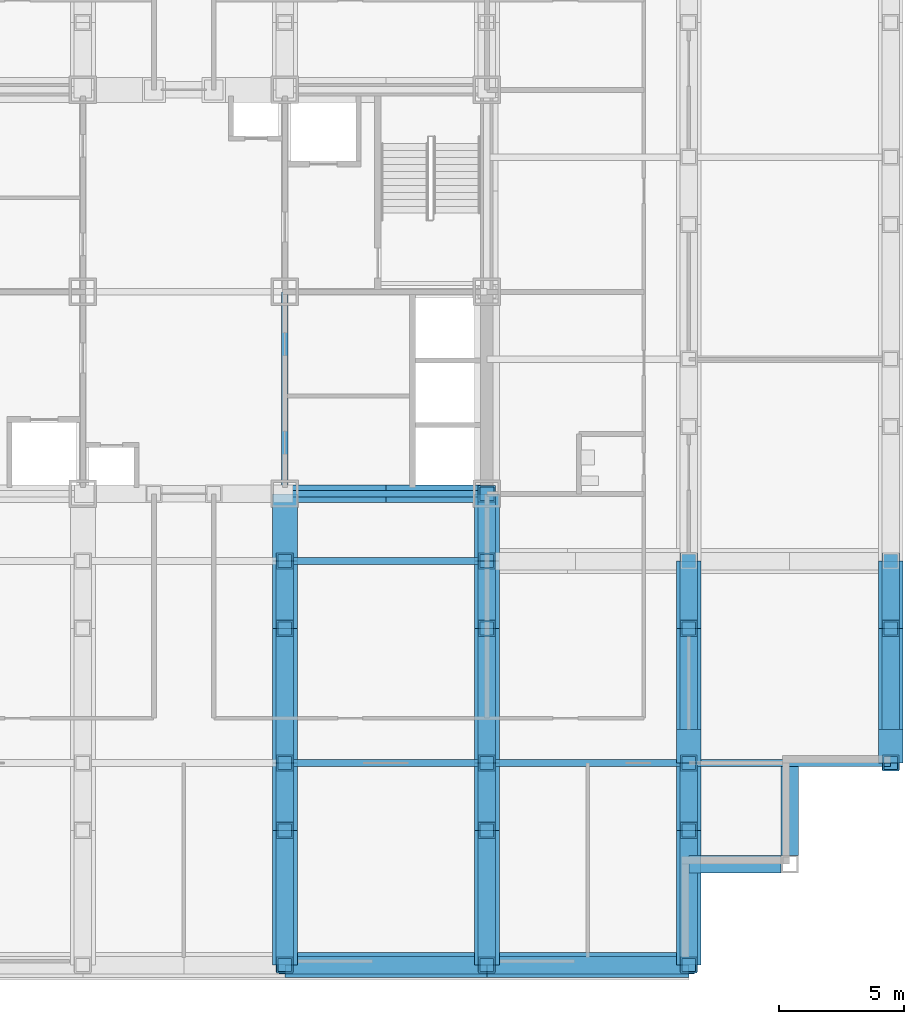
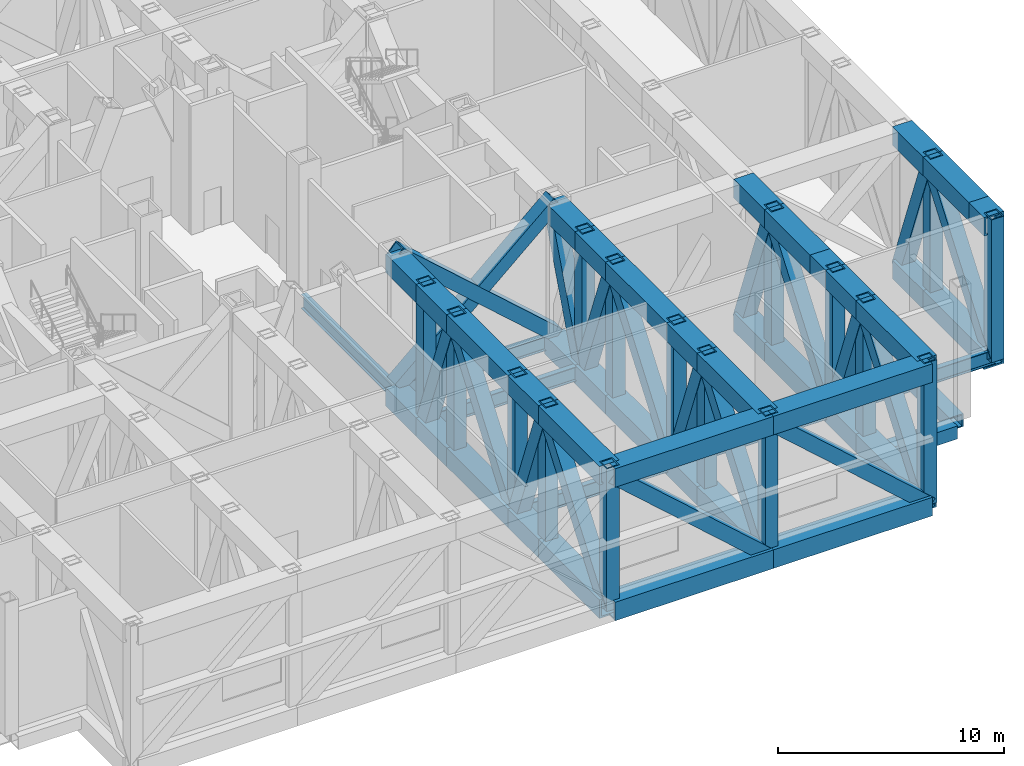
# One storey, part 3 of 13: 73 members, 8 beams.
"""IFC4 building model written with IfcOpenShell, lengths in metres."""

from ifc_helpers import new_model, si_unit, direction, frame, origin, origin_2d, place, context, subcontext, project, spatial, hollow_rectangle, i_section, extrude, material, material_profile, profile_set, type_object, element, save


model = new_model("IFC4")

# Units and contexts
model_context = context("Model", 3, precision=1e-05, world=origin(), true_north=direction((0.0, 1.0)))
body_context = subcontext(model_context, "Body", "Model", "MODEL_VIEW")
ifc_project = project(units=[si_unit("LENGTHUNIT", "METRE"), si_unit("AREAUNIT", "SQUARE_METRE"), si_unit("VOLUMEUNIT", "CUBIC_METRE"), si_unit("PLANEANGLEUNIT", "RADIAN"), si_unit("MASSUNIT", "GRAM", prefix="KILO")], contexts=[model_context])

# Site, building, storey
site_placement = place(None, origin())
site = spatial("IfcSite", under=ifc_project, at=site_placement, CompositionType="ELEMENT")
building_placement = place(site_placement, origin())
building = spatial("IfcBuilding", under=site, at=building_placement, Name="Kopane Lantern Tower", CompositionType="ELEMENT")
storey_placement = place(building_placement, frame((0.0, 0.0, 157.800048828125)))
storey = spatial("IfcBuildingStorey", under=building, at=storey_placement, Name="L41", CompositionType="ELEMENT", Elevation=157.800048828125)

# Members
ifc_material_1 = material(Name="Steel S355JR", Category="steel")
ifc_material_profile_1 = material_profile(ifc_material_1, hollow_rectangle(XDim=0.699951171875, YDim=0.699951171875, WallThickness=0.06005859375, at=origin_2d()), Name="BOX 700x700x60")
ifc_profile_set_1 = profile_set([ifc_material_profile_1], Name="Steel S355JR")
member_type_1 = type_object("IfcMemberType", Name="BRACE BOX 700x700x60", PredefinedType="BRACE", material=ifc_profile_set_1)
for number, where, z_axis, x_axis, name in (
    (1, (32.39990234375, 24.300048828125, -0.25), (0.747415533118, 0.0, 0.664356847525), (0.0, 1.0, 0.0), "Core brace L41"),
    (2, (40.5, 24.300048828125, -0.25), (-0.747415533118, 0.0, 0.664356847525), (0.0, -1.0, 0.0), "Core brace L41"),
):
    element("IfcMember", number, at=place(storey_placement, frame(where, z_axis=z_axis, x_axis=x_axis)), inside=storey, type_object=member_type_1, Name=name, PredefinedType="BRACE", context=body_context, shape_type="SweptSolid", body=[
        extrude(hollow_rectangle(XDim=0.699951171875, YDim=0.699951171875, WallThickness=0.06005859375, at=origin_2d()), origin(), (0.0, 0.0, 1.0), 10.83740234375),
    ])

# Beams
ifc_material_2 = material(Name="Steel S355JR", Category="steel")
ifc_material_profile_2 = material_profile(ifc_material_2, i_section(OverallWidth=0.2666015625, OverallDepth=0.76220703125, WebThickness=0.014404296875, FlangeThickness=0.021484375, FilletRadius=0.0166015625, at=origin_2d()), Name="UB 762x267x173")
ifc_profile_set_2 = profile_set([ifc_material_profile_2], Name="Steel S355JR")
beam_type_1 = type_object("IfcBeamType", Name="CORE BEAM UB 762x267x173", PredefinedType="BEAM", material=ifc_profile_set_2)
beam_1_placement = place(storey_placement, frame((32.39990234375, 24.300048828125, -0.631103515625), z_axis=(0.0, 1.0, 0.0), x_axis=(-1.0, 0.0, 0.0)))
element("IfcBeam", 3, at=beam_1_placement, inside=storey, type_object=beam_type_1, Name="Core Beam L41", PredefinedType="BEAM", context=body_context, shape_type="SweptSolid", body=[
    extrude(i_section(OverallWidth=0.2666015625, OverallDepth=0.76220703125, WebThickness=0.014404296875, FlangeThickness=0.021484375, FilletRadius=0.0166015625, at=origin_2d()), origin(), (0.0, 0.0, 1.0), 8.099853515625),
])
ifc_material_3 = material(Name="Steel S355JR", Category="steel")
ifc_material_profile_3 = material_profile(ifc_material_3, hollow_rectangle(XDim=0.699951171875, YDim=0.699951171875, WallThickness=0.06005859375, at=origin_2d()), Name="BOX 700x700x60")
ifc_profile_set_3 = profile_set([ifc_material_profile_3], Name="Steel S355JR")
beam_type_2 = type_object("IfcBeamType", Name="EDGE BEAM BOX 700x700x60", PredefinedType="BEAM", material=ifc_profile_set_3)
for number, where, z_axis, x_axis, name in (
    (4, (52.300048828125, 9.449951171875, -0.60009765625), (-1.0, 0.0, 0.0), (0.0, -1.0, 0.0), "Edge Beam L41"),
    (5, (52.64990234375, 9.800048828125, -0.60009765625), (0.0, 1.0, 0.0), (-1.0, 0.0, 0.0), "Edge Beam L41"),
):
    element("IfcBeam", number, at=place(storey_placement, frame(where, z_axis=z_axis, x_axis=x_axis)), inside=storey, type_object=beam_type_2, Name=name, PredefinedType="BEAM", context=body_context, shape_type="SweptSolid", body=[
        extrude(hollow_rectangle(XDim=0.699951171875, YDim=0.699951171875, WallThickness=0.06005859375, at=origin_2d()), origin(), (0.0, 0.0, 1.0), 3.699951171875),
    ])
ifc_material_4 = material(Name="Steel S355JR", Category="steel")
ifc_material_profile_4 = material_profile(ifc_material_4, i_section(OverallWidth=0.26806640625, OverallDepth=0.769775390625, WebThickness=0.015625, FlangeThickness=0.025390625, FilletRadius=0.0166015625, at=origin_2d()), Name="UB 762x267x197")
ifc_profile_set_4 = profile_set([ifc_material_profile_4], Name="Steel S355JR")
beam_type_3 = type_object("IfcBeamType", Name="GIRDER UB 762x267x197", PredefinedType="BEAM", material=ifc_profile_set_4)
for number, where, z_axis, x_axis, name in (
    (6, (32.39990234375, 13.5, -0.635009765625), (1.0, 0.0, 0.0), (0.0, 1.0, 0.0), "Girder L41"),
    (7, (32.39990234375, 21.60009765625, -0.635009765625), (1.0, 0.0, 0.0), (0.0, 1.0, 0.0), "Girder L41"),
    (8, (32.39990234375, 24.300048828125, -0.635009765625), (1.0, 0.0, 0.0), (0.0, 1.0, 0.0), "Girder L41"),
    (9, (40.5, 13.5, -0.635009765625), (1.0, 0.0, 0.0), (0.0, 1.0, 0.0), "Girder L41"),
):
    element("IfcBeam", number, at=place(storey_placement, frame(where, z_axis=z_axis, x_axis=x_axis)), inside=storey, type_object=beam_type_3, Name=name, PredefinedType="BEAM", context=body_context, shape_type="SweptSolid", body=[
        extrude(i_section(OverallWidth=0.26806640625, OverallDepth=0.769775390625, WebThickness=0.015625, FlangeThickness=0.025390625, FilletRadius=0.0166015625, at=origin_2d()), origin(), (0.0, 0.0, 1.0), 8.10009765625),
    ])
beam_2_placement = place(storey_placement, frame((48.60009765625, 13.5, -0.635009765625), z_axis=(1.0, 0.0, 0.0), x_axis=(0.0, 1.0, 0.0)))
element("IfcBeam", 10, at=beam_2_placement, inside=storey, type_object=beam_type_3, Name="Girder L41", PredefinedType="BEAM", context=body_context, shape_type="SweptSolid", body=[
    extrude(i_section(OverallWidth=0.26806640625, OverallDepth=0.769775390625, WebThickness=0.015625, FlangeThickness=0.025390625, FilletRadius=0.0166015625, at=origin_2d()), origin(), (0.0, 0.0, 1.0), 8.099853515625),
])

# Members
ifc_material_5 = material(Name="Steel S355JR", Category="steel")
ifc_material_profile_5 = material_profile(ifc_material_5, hollow_rectangle(XDim=1.0, YDim=1.0, WallThickness=0.090087890625, at=origin_2d()), Name="BOX 1000x1000x90")
ifc_profile_set_5 = profile_set([ifc_material_profile_5], Name="Steel S355JR")
member_type_2 = type_object("IfcMemberType", Name="TRUSS CHORD BOX 1000x1000x90", PredefinedType="CHORD", material=ifc_profile_set_5)
member_1_placement = place(storey_placement, frame((32.39990234375, 5.39990234375, -0.75), z_axis=(0.0, 1.0, 0.0), x_axis=(-1.0, 0.0, 0.0)))
element("IfcMember", 11, at=member_1_placement, inside=storey, type_object=member_type_2, Name="Transfer truss 6 L41 truss chord", PredefinedType="CHORD", context=body_context, shape_type="SweptSolid", body=[
    extrude(hollow_rectangle(XDim=1.0, YDim=1.0, WallThickness=0.090087890625, at=origin_2d()), origin(), (0.0, 0.0, 1.0), 5.400146484375),
])
member_2_placement = place(storey_placement, frame((32.39990234375, 10.800048828125, -0.75), z_axis=(0.0, 1.0, 0.0), x_axis=(-1.0, 0.0, 0.0)))
element("IfcMember", 12, at=member_2_placement, inside=storey, type_object=member_type_2, Name="Transfer truss 6 L41 truss chord", PredefinedType="CHORD", context=body_context, shape_type="SweptSolid", body=[
    extrude(hollow_rectangle(XDim=1.0, YDim=1.0, WallThickness=0.090087890625, at=origin_2d()), origin(), (0.0, 0.0, 1.0), 2.699951171875),
])
member_3_placement = place(storey_placement, frame((32.39990234375, 13.5, -0.75), z_axis=(0.0, 1.0, 0.0), x_axis=(-1.0, 0.0, 0.0)))
element("IfcMember", 13, at=member_3_placement, inside=storey, type_object=member_type_2, Name="Transfer truss 6 L41 truss chord", PredefinedType="CHORD", context=body_context, shape_type="SweptSolid", body=[
    extrude(hollow_rectangle(XDim=1.0, YDim=1.0, WallThickness=0.090087890625, at=origin_2d()), origin(), (0.0, 0.0, 1.0), 5.39990234375),
])
member_4_placement = place(storey_placement, frame((32.39990234375, 18.89990234375, -0.75), z_axis=(0.0, 1.0, 0.0), x_axis=(-1.0, 0.0, 0.0)))
element("IfcMember", 14, at=member_4_placement, inside=storey, type_object=member_type_2, Name="Transfer truss 6 L41 truss chord", PredefinedType="CHORD", context=body_context, shape_type="SweptSolid", body=[
    extrude(hollow_rectangle(XDim=1.0, YDim=1.0, WallThickness=0.090087890625, at=origin_2d()), origin(), (0.0, 0.0, 1.0), 2.7001953125),
])
member_5_placement = place(storey_placement, frame((32.39990234375, 21.60009765625, -0.75), z_axis=(0.0, 1.0, 0.0), x_axis=(-1.0, 0.0, 0.0)))
element("IfcMember", 15, at=member_5_placement, inside=storey, type_object=member_type_2, Name="Transfer truss 6 L41 truss chord", PredefinedType="CHORD", context=body_context, shape_type="SweptSolid", body=[
    extrude(hollow_rectangle(XDim=1.0, YDim=1.0, WallThickness=0.090087890625, at=origin_2d()), origin(), (0.0, 0.0, 1.0), 2.699951171875),
])
member_6_placement = place(storey_placement, frame((32.39990234375, 5.39990234375, 6.449951171875), z_axis=(0.0, 1.0, 0.0), x_axis=(-1.0, 0.0, 0.0)))
element("IfcMember", 16, at=member_6_placement, inside=storey, type_object=member_type_2, Name="Transfer truss 6 L41 truss chord", PredefinedType="CHORD", context=body_context, shape_type="SweptSolid", body=[
    extrude(hollow_rectangle(XDim=1.0, YDim=1.0, WallThickness=0.090087890625, at=origin_2d()), origin(), (0.0, 0.0, 1.0), 5.400146484375),
])
member_7_placement = place(storey_placement, frame((32.39990234375, 10.800048828125, 6.449951171875), z_axis=(0.0, 1.0, 0.0), x_axis=(-1.0, 0.0, 0.0)))
element("IfcMember", 17, at=member_7_placement, inside=storey, type_object=member_type_2, Name="Transfer truss 6 L41 truss chord", PredefinedType="CHORD", context=body_context, shape_type="SweptSolid", body=[
    extrude(hollow_rectangle(XDim=1.0, YDim=1.0, WallThickness=0.090087890625, at=origin_2d()), origin(), (0.0, 0.0, 1.0), 2.699951171875),
])
member_8_placement = place(storey_placement, frame((32.39990234375, 13.5, 6.449951171875), z_axis=(0.0, 1.0, 0.0), x_axis=(-1.0, 0.0, 0.0)))
element("IfcMember", 18, at=member_8_placement, inside=storey, type_object=member_type_2, Name="Transfer truss 6 L41 truss chord", PredefinedType="CHORD", context=body_context, shape_type="SweptSolid", body=[
    extrude(hollow_rectangle(XDim=1.0, YDim=1.0, WallThickness=0.090087890625, at=origin_2d()), origin(), (0.0, 0.0, 1.0), 5.39990234375),
])
member_9_placement = place(storey_placement, frame((32.39990234375, 18.89990234375, 6.449951171875), z_axis=(0.0, 1.0, 0.0), x_axis=(-1.0, 0.0, 0.0)))
element("IfcMember", 19, at=member_9_placement, inside=storey, type_object=member_type_2, Name="Transfer truss 6 L41 truss chord", PredefinedType="CHORD", context=body_context, shape_type="SweptSolid", body=[
    extrude(hollow_rectangle(XDim=1.0, YDim=1.0, WallThickness=0.090087890625, at=origin_2d()), origin(), (0.0, 0.0, 1.0), 2.7001953125),
])
member_10_placement = place(storey_placement, frame((32.39990234375, 21.60009765625, 6.449951171875), z_axis=(0.0, 1.0, 0.0), x_axis=(-1.0, 0.0, 0.0)))
element("IfcMember", 20, at=member_10_placement, inside=storey, type_object=member_type_2, Name="Transfer truss 6 L41 truss chord", PredefinedType="CHORD", context=body_context, shape_type="SweptSolid", body=[
    extrude(hollow_rectangle(XDim=1.0, YDim=1.0, WallThickness=0.090087890625, at=origin_2d()), origin(), (0.0, 0.0, 1.0), 2.699951171875),
])
member_11_placement = place(storey_placement, frame((40.5, 5.39990234375, -0.75), z_axis=(0.0, 1.0, 0.0), x_axis=(-1.0, 0.0, 0.0)))
element("IfcMember", 21, at=member_11_placement, inside=storey, type_object=member_type_2, Name="Transfer truss 7 L41 truss chord", PredefinedType="CHORD", context=body_context, shape_type="SweptSolid", body=[
    extrude(hollow_rectangle(XDim=1.0, YDim=1.0, WallThickness=0.090087890625, at=origin_2d()), origin(), (0.0, 0.0, 1.0), 5.400146484375),
])
member_12_placement = place(storey_placement, frame((40.5, 10.800048828125, -0.75), z_axis=(0.0, 1.0, 0.0), x_axis=(-1.0, 0.0, 0.0)))
element("IfcMember", 22, at=member_12_placement, inside=storey, type_object=member_type_2, Name="Transfer truss 7 L41 truss chord", PredefinedType="CHORD", context=body_context, shape_type="SweptSolid", body=[
    extrude(hollow_rectangle(XDim=1.0, YDim=1.0, WallThickness=0.090087890625, at=origin_2d()), origin(), (0.0, 0.0, 1.0), 2.699951171875),
])
member_13_placement = place(storey_placement, frame((40.5, 13.5, -0.75), z_axis=(0.0, 1.0, 0.0), x_axis=(-1.0, 0.0, 0.0)))
element("IfcMember", 23, at=member_13_placement, inside=storey, type_object=member_type_2, Name="Transfer truss 7 L41 truss chord", PredefinedType="CHORD", context=body_context, shape_type="SweptSolid", body=[
    extrude(hollow_rectangle(XDim=1.0, YDim=1.0, WallThickness=0.090087890625, at=origin_2d()), origin(), (0.0, 0.0, 1.0), 5.39990234375),
])
member_14_placement = place(storey_placement, frame((40.5, 18.89990234375, -0.75), z_axis=(0.0, 1.0, 0.0), x_axis=(-1.0, 0.0, 0.0)))
element("IfcMember", 24, at=member_14_placement, inside=storey, type_object=member_type_2, Name="Transfer truss 7 L41 truss chord", PredefinedType="CHORD", context=body_context, shape_type="SweptSolid", body=[
    extrude(hollow_rectangle(XDim=1.0, YDim=1.0, WallThickness=0.090087890625, at=origin_2d()), origin(), (0.0, 0.0, 1.0), 2.7001953125),
])
member_15_placement = place(storey_placement, frame((40.5, 21.60009765625, -0.75), z_axis=(0.0, 1.0, 0.0), x_axis=(-1.0, 0.0, 0.0)))
element("IfcMember", 25, at=member_15_placement, inside=storey, type_object=member_type_2, Name="Transfer truss 7 L41 truss chord", PredefinedType="CHORD", context=body_context, shape_type="SweptSolid", body=[
    extrude(hollow_rectangle(XDim=1.0, YDim=1.0, WallThickness=0.090087890625, at=origin_2d()), origin(), (0.0, 0.0, 1.0), 2.699951171875),
])
member_16_placement = place(storey_placement, frame((40.5, 5.39990234375, 6.449951171875), z_axis=(0.0, 1.0, 0.0), x_axis=(-1.0, 0.0, 0.0)))
element("IfcMember", 26, at=member_16_placement, inside=storey, type_object=member_type_2, Name="Transfer truss 7 L41 truss chord", PredefinedType="CHORD", context=body_context, shape_type="SweptSolid", body=[
    extrude(hollow_rectangle(XDim=1.0, YDim=1.0, WallThickness=0.090087890625, at=origin_2d()), origin(), (0.0, 0.0, 1.0), 5.400146484375),
])
member_17_placement = place(storey_placement, frame((40.5, 10.800048828125, 6.449951171875), z_axis=(0.0, 1.0, 0.0), x_axis=(-1.0, 0.0, 0.0)))
element("IfcMember", 27, at=member_17_placement, inside=storey, type_object=member_type_2, Name="Transfer truss 7 L41 truss chord", PredefinedType="CHORD", context=body_context, shape_type="SweptSolid", body=[
    extrude(hollow_rectangle(XDim=1.0, YDim=1.0, WallThickness=0.090087890625, at=origin_2d()), origin(), (0.0, 0.0, 1.0), 2.699951171875),
])
member_18_placement = place(storey_placement, frame((40.5, 13.5, 6.449951171875), z_axis=(0.0, 1.0, 0.0), x_axis=(-1.0, 0.0, 0.0)))
element("IfcMember", 28, at=member_18_placement, inside=storey, type_object=member_type_2, Name="Transfer truss 7 L41 truss chord", PredefinedType="CHORD", context=body_context, shape_type="SweptSolid", body=[
    extrude(hollow_rectangle(XDim=1.0, YDim=1.0, WallThickness=0.090087890625, at=origin_2d()), origin(), (0.0, 0.0, 1.0), 5.39990234375),
])
member_19_placement = place(storey_placement, frame((40.5, 18.89990234375, 6.449951171875), z_axis=(0.0, 1.0, 0.0), x_axis=(-1.0, 0.0, 0.0)))
element("IfcMember", 29, at=member_19_placement, inside=storey, type_object=member_type_2, Name="Transfer truss 7 L41 truss chord", PredefinedType="CHORD", context=body_context, shape_type="SweptSolid", body=[
    extrude(hollow_rectangle(XDim=1.0, YDim=1.0, WallThickness=0.090087890625, at=origin_2d()), origin(), (0.0, 0.0, 1.0), 2.7001953125),
])
member_20_placement = place(storey_placement, frame((40.5, 21.60009765625, 6.449951171875), z_axis=(0.0, 1.0, 0.0), x_axis=(-1.0, 0.0, 0.0)))
element("IfcMember", 30, at=member_20_placement, inside=storey, type_object=member_type_2, Name="Transfer truss 7 L41 truss chord", PredefinedType="CHORD", context=body_context, shape_type="SweptSolid", body=[
    extrude(hollow_rectangle(XDim=1.0, YDim=1.0, WallThickness=0.090087890625, at=origin_2d()), origin(), (0.0, 0.0, 1.0), 2.699951171875),
])
member_21_placement = place(storey_placement, frame((48.60009765625, 5.39990234375, -0.75), z_axis=(0.0, 1.0, 0.0), x_axis=(-1.0, 0.0, 0.0)))
element("IfcMember", 31, at=member_21_placement, inside=storey, type_object=member_type_2, Name="Transfer truss 8 L41 truss chord", PredefinedType="CHORD", context=body_context, shape_type="SweptSolid", body=[
    extrude(hollow_rectangle(XDim=1.0, YDim=1.0, WallThickness=0.090087890625, at=origin_2d()), origin(), (0.0, 0.0, 1.0), 5.400146484375),
])
member_22_placement = place(storey_placement, frame((48.60009765625, 10.800048828125, -0.75), z_axis=(0.0, 1.0, 0.0), x_axis=(-1.0, 0.0, 0.0)))
element("IfcMember", 32, at=member_22_placement, inside=storey, type_object=member_type_2, Name="Transfer truss 8 L41 truss chord", PredefinedType="CHORD", context=body_context, shape_type="SweptSolid", body=[
    extrude(hollow_rectangle(XDim=1.0, YDim=1.0, WallThickness=0.090087890625, at=origin_2d()), origin(), (0.0, 0.0, 1.0), 2.699951171875),
])
member_23_placement = place(storey_placement, frame((48.60009765625, 13.5, -0.75), z_axis=(0.0, 1.0, 0.0), x_axis=(-1.0, 0.0, 0.0)))
element("IfcMember", 33, at=member_23_placement, inside=storey, type_object=member_type_2, Name="Transfer truss 8 L41 truss chord", PredefinedType="CHORD", context=body_context, shape_type="SweptSolid", body=[
    extrude(hollow_rectangle(XDim=1.0, YDim=1.0, WallThickness=0.090087890625, at=origin_2d()), origin(), (0.0, 0.0, 1.0), 5.39990234375),
])
member_24_placement = place(storey_placement, frame((48.60009765625, 18.89990234375, -0.75), z_axis=(0.0, 1.0, 0.0), x_axis=(-1.0, 0.0, 0.0)))
element("IfcMember", 34, at=member_24_placement, inside=storey, type_object=member_type_2, Name="Transfer truss 8 L41 truss chord", PredefinedType="CHORD", context=body_context, shape_type="SweptSolid", body=[
    extrude(hollow_rectangle(XDim=1.0, YDim=1.0, WallThickness=0.090087890625, at=origin_2d()), origin(), (0.0, 0.0, 1.0), 2.7001953125),
])
member_25_placement = place(storey_placement, frame((48.60009765625, 5.39990234375, 6.449951171875), z_axis=(0.0, 1.0, 0.0), x_axis=(-1.0, 0.0, 0.0)))
element("IfcMember", 35, at=member_25_placement, inside=storey, type_object=member_type_2, Name="Transfer truss 8 L41 truss chord", PredefinedType="CHORD", context=body_context, shape_type="SweptSolid", body=[
    extrude(hollow_rectangle(XDim=1.0, YDim=1.0, WallThickness=0.090087890625, at=origin_2d()), origin(), (0.0, 0.0, 1.0), 5.400146484375),
])
member_26_placement = place(storey_placement, frame((48.60009765625, 10.800048828125, 6.449951171875), z_axis=(0.0, 1.0, 0.0), x_axis=(-1.0, 0.0, 0.0)))
element("IfcMember", 36, at=member_26_placement, inside=storey, type_object=member_type_2, Name="Transfer truss 8 L41 truss chord", PredefinedType="CHORD", context=body_context, shape_type="SweptSolid", body=[
    extrude(hollow_rectangle(XDim=1.0, YDim=1.0, WallThickness=0.090087890625, at=origin_2d()), origin(), (0.0, 0.0, 1.0), 2.699951171875),
])
member_27_placement = place(storey_placement, frame((48.60009765625, 13.5, 6.449951171875), z_axis=(0.0, 1.0, 0.0), x_axis=(-1.0, 0.0, 0.0)))
element("IfcMember", 37, at=member_27_placement, inside=storey, type_object=member_type_2, Name="Transfer truss 8 L41 truss chord", PredefinedType="CHORD", context=body_context, shape_type="SweptSolid", body=[
    extrude(hollow_rectangle(XDim=1.0, YDim=1.0, WallThickness=0.090087890625, at=origin_2d()), origin(), (0.0, 0.0, 1.0), 1.35009765625),
])
member_28_placement = place(storey_placement, frame((48.60009765625, 14.85009765625, 6.449951171875), z_axis=(0.0, 1.0, 0.0), x_axis=(-1.0, 0.0, 0.0)))
element("IfcMember", 38, at=member_28_placement, inside=storey, type_object=member_type_2, Name="Transfer truss 8 L41 truss chord", PredefinedType="CHORD", context=body_context, shape_type="SweptSolid", body=[
    extrude(hollow_rectangle(XDim=1.0, YDim=1.0, WallThickness=0.090087890625, at=origin_2d()), origin(), (0.0, 0.0, 1.0), 4.0498046875),
])
member_29_placement = place(storey_placement, frame((48.60009765625, 18.89990234375, 6.449951171875), z_axis=(0.0, 1.0, 0.0), x_axis=(-1.0, 0.0, 0.0)))
element("IfcMember", 39, at=member_29_placement, inside=storey, type_object=member_type_2, Name="Transfer truss 8 L41 truss chord", PredefinedType="CHORD", context=body_context, shape_type="SweptSolid", body=[
    extrude(hollow_rectangle(XDim=1.0, YDim=1.0, WallThickness=0.090087890625, at=origin_2d()), origin(), (0.0, 0.0, 1.0), 2.7001953125),
])
member_30_placement = place(storey_placement, frame((56.699951171875, 13.5, -0.75), z_axis=(0.0, 1.0, 0.0), x_axis=(-1.0, 0.0, 0.0)))
element("IfcMember", 40, at=member_30_placement, inside=storey, type_object=member_type_2, Name="Transfer truss 9 L41 truss chord", PredefinedType="CHORD", context=body_context, shape_type="SweptSolid", body=[
    extrude(hollow_rectangle(XDim=1.0, YDim=1.0, WallThickness=0.090087890625, at=origin_2d()), origin(), (0.0, 0.0, 1.0), 5.39990234375),
])
member_31_placement = place(storey_placement, frame((56.699951171875, 18.89990234375, -0.75), z_axis=(0.0, 1.0, 0.0), x_axis=(-1.0, 0.0, 0.0)))
element("IfcMember", 41, at=member_31_placement, inside=storey, type_object=member_type_2, Name="Transfer truss 9 L41 truss chord", PredefinedType="CHORD", context=body_context, shape_type="SweptSolid", body=[
    extrude(hollow_rectangle(XDim=1.0, YDim=1.0, WallThickness=0.090087890625, at=origin_2d()), origin(), (0.0, 0.0, 1.0), 2.7001953125),
])
member_32_placement = place(storey_placement, frame((56.699951171875, 13.5, 6.449951171875), z_axis=(0.0, 1.0, 0.0), x_axis=(-1.0, 0.0, 0.0)))
element("IfcMember", 42, at=member_32_placement, inside=storey, type_object=member_type_2, Name="Transfer truss 9 L41 truss chord", PredefinedType="CHORD", context=body_context, shape_type="SweptSolid", body=[
    extrude(hollow_rectangle(XDim=1.0, YDim=1.0, WallThickness=0.090087890625, at=origin_2d()), origin(), (0.0, 0.0, 1.0), 1.35009765625),
])
member_33_placement = place(storey_placement, frame((56.699951171875, 14.85009765625, 6.449951171875), z_axis=(0.0, 1.0, 0.0), x_axis=(-1.0, 0.0, 0.0)))
element("IfcMember", 43, at=member_33_placement, inside=storey, type_object=member_type_2, Name="Transfer truss 9 L41 truss chord", PredefinedType="CHORD", context=body_context, shape_type="SweptSolid", body=[
    extrude(hollow_rectangle(XDim=1.0, YDim=1.0, WallThickness=0.090087890625, at=origin_2d()), origin(), (0.0, 0.0, 1.0), 4.0498046875),
])
member_34_placement = place(storey_placement, frame((56.699951171875, 18.89990234375, 6.449951171875), z_axis=(0.0, 1.0, 0.0), x_axis=(-1.0, 0.0, 0.0)))
element("IfcMember", 44, at=member_34_placement, inside=storey, type_object=member_type_2, Name="Transfer truss 9 L41 truss chord", PredefinedType="CHORD", context=body_context, shape_type="SweptSolid", body=[
    extrude(hollow_rectangle(XDim=1.0, YDim=1.0, WallThickness=0.090087890625, at=origin_2d()), origin(), (0.0, 0.0, 1.0), 2.7001953125),
])
for number, where, z_axis, x_axis, name in (
    (45, (32.39990234375, 5.39990234375, -0.75), (1.0, 0.0, 0.0), (0.0, 1.0, 0.0), "Belt truss S L41 truss chord"),
    (46, (32.39990234375, 5.39990234375, 6.449951171875), (1.0, 0.0, 0.0), (0.0, 1.0, 0.0), "Belt truss S L41 truss chord"),
    (47, (40.5, 5.39990234375, -0.75), (1.0, 0.0, 0.0), (0.0, 1.0, 0.0), "Belt truss S L41 truss chord"),
    (48, (40.5, 5.39990234375, 6.449951171875), (1.0, 0.0, 0.0), (0.0, 1.0, 0.0), "Belt truss S L41 truss chord"),
):
    element("IfcMember", number, at=place(storey_placement, frame(where, z_axis=z_axis, x_axis=x_axis)), inside=storey, type_object=member_type_2, Name=name, PredefinedType="CHORD", context=body_context, shape_type="SweptSolid", body=[
        extrude(hollow_rectangle(XDim=1.0, YDim=1.0, WallThickness=0.090087890625, at=origin_2d()), origin(), (0.0, 0.0, 1.0), 8.10009765625),
    ])
ifc_material_6 = material(Name="Steel S355JR", Category="steel")
ifc_material_profile_6 = material_profile(ifc_material_6, hollow_rectangle(XDim=0.699951171875, YDim=0.699951171875, WallThickness=0.070068359375, at=origin_2d()), Name="BOX 700x700x70")
ifc_profile_set_6 = profile_set([ifc_material_profile_6], Name="Steel S355JR")
member_type_3 = type_object("IfcMemberType", Name="TRUSS DIAGONAL BOX 700x700x70", PredefinedType="BRACE", material=ifc_profile_set_6)
member_35_placement = place(storey_placement, frame((32.39990234375, 5.39990234375, -0.75), z_axis=(0.0, 0.600013020683, 0.799990234322), x_axis=(-1.0, 0.0, 0.0)))
element("IfcMember", 49, at=member_35_placement, inside=storey, type_object=member_type_3, Name="Transfer truss 6 L41 truss diagonal", PredefinedType="BRACE", context=body_context, shape_type="SweptSolid", body=[
    extrude(hollow_rectangle(XDim=0.699951171875, YDim=0.699951171875, WallThickness=0.070068359375, at=origin_2d()), origin(), (0.0, 0.0, 1.0), 9.0),
])
member_36_placement = place(storey_placement, frame((32.39990234375, 13.5, -0.75), z_axis=(0.0, -0.351119962166, 0.936330482345), x_axis=(1.0, 0.0, 0.0)))
element("IfcMember", 50, at=member_36_placement, inside=storey, type_object=member_type_3, Name="Transfer truss 6 L41 truss diagonal", PredefinedType="BRACE", context=body_context, shape_type="SweptSolid", body=[
    extrude(hollow_rectangle(XDim=0.699951171875, YDim=0.699951171875, WallThickness=0.070068359375, at=origin_2d()), origin(), (0.0, 0.0, 1.0), 7.689453125),
])
member_37_placement = place(storey_placement, frame((32.39990234375, 13.5, -0.75), z_axis=(0.0, 0.599995659666, 0.800003255232), x_axis=(-1.0, 0.0, 0.0)))
element("IfcMember", 51, at=member_37_placement, inside=storey, type_object=member_type_3, Name="Transfer truss 6 L41 truss diagonal", PredefinedType="BRACE", context=body_context, shape_type="SweptSolid", body=[
    extrude(hollow_rectangle(XDim=0.699951171875, YDim=0.699951171875, WallThickness=0.070068359375, at=origin_2d()), origin(), (0.0, 0.0, 1.0), 9.0),
])
member_38_placement = place(storey_placement, frame((32.39990234375, 21.60009765625, -0.75), z_axis=(0.0, -0.351147797134, 0.936320043878), x_axis=(1.0, 0.0, 0.0)))
element("IfcMember", 52, at=member_38_placement, inside=storey, type_object=member_type_3, Name="Transfer truss 6 L41 truss diagonal", PredefinedType="BRACE", context=body_context, shape_type="SweptSolid", body=[
    extrude(hollow_rectangle(XDim=0.699951171875, YDim=0.699951171875, WallThickness=0.070068359375, at=origin_2d()), origin(), (0.0, 0.0, 1.0), 7.689697265625),
])
member_39_placement = place(storey_placement, frame((40.5, 5.39990234375, -0.75), z_axis=(0.0, 0.600013020683, 0.799990234322), x_axis=(-1.0, 0.0, 0.0)))
element("IfcMember", 53, at=member_39_placement, inside=storey, type_object=member_type_3, Name="Transfer truss 7 L41 truss diagonal", PredefinedType="BRACE", context=body_context, shape_type="SweptSolid", body=[
    extrude(hollow_rectangle(XDim=0.699951171875, YDim=0.699951171875, WallThickness=0.070068359375, at=origin_2d()), origin(), (0.0, 0.0, 1.0), 9.0),
])
member_40_placement = place(storey_placement, frame((40.5, 13.5, -0.75), z_axis=(0.0, -0.351119962166, 0.936330482345), x_axis=(1.0, 0.0, 0.0)))
element("IfcMember", 54, at=member_40_placement, inside=storey, type_object=member_type_3, Name="Transfer truss 7 L41 truss diagonal", PredefinedType="BRACE", context=body_context, shape_type="SweptSolid", body=[
    extrude(hollow_rectangle(XDim=0.699951171875, YDim=0.699951171875, WallThickness=0.070068359375, at=origin_2d()), origin(), (0.0, 0.0, 1.0), 7.689453125),
])
member_41_placement = place(storey_placement, frame((40.5, 13.5, -0.75), z_axis=(0.0, 0.599995659666, 0.800003255232), x_axis=(-1.0, 0.0, 0.0)))
element("IfcMember", 55, at=member_41_placement, inside=storey, type_object=member_type_3, Name="Transfer truss 7 L41 truss diagonal", PredefinedType="BRACE", context=body_context, shape_type="SweptSolid", body=[
    extrude(hollow_rectangle(XDim=0.699951171875, YDim=0.699951171875, WallThickness=0.070068359375, at=origin_2d()), origin(), (0.0, 0.0, 1.0), 9.0),
])
member_42_placement = place(storey_placement, frame((40.5, 21.60009765625, -0.75), z_axis=(0.0, -0.351147797134, 0.936320043878), x_axis=(1.0, 0.0, 0.0)))
element("IfcMember", 56, at=member_42_placement, inside=storey, type_object=member_type_3, Name="Transfer truss 7 L41 truss diagonal", PredefinedType="BRACE", context=body_context, shape_type="SweptSolid", body=[
    extrude(hollow_rectangle(XDim=0.699951171875, YDim=0.699951171875, WallThickness=0.070068359375, at=origin_2d()), origin(), (0.0, 0.0, 1.0), 7.689697265625),
])
member_43_placement = place(storey_placement, frame((48.60009765625, 5.39990234375, -0.75), z_axis=(0.0, 0.600013020683, 0.799990234322), x_axis=(-1.0, 0.0, 0.0)))
element("IfcMember", 57, at=member_43_placement, inside=storey, type_object=member_type_3, Name="Transfer truss 8 L41 truss diagonal", PredefinedType="BRACE", context=body_context, shape_type="SweptSolid", body=[
    extrude(hollow_rectangle(XDim=0.699951171875, YDim=0.699951171875, WallThickness=0.070068359375, at=origin_2d()), origin(), (0.0, 0.0, 1.0), 9.0),
])
member_44_placement = place(storey_placement, frame((48.60009765625, 13.5, -0.75), z_axis=(0.0, -0.351119962166, 0.936330482345), x_axis=(1.0, 0.0, 0.0)))
element("IfcMember", 58, at=member_44_placement, inside=storey, type_object=member_type_3, Name="Transfer truss 8 L41 truss diagonal", PredefinedType="BRACE", context=body_context, shape_type="SweptSolid", body=[
    extrude(hollow_rectangle(XDim=0.699951171875, YDim=0.699951171875, WallThickness=0.070068359375, at=origin_2d()), origin(), (0.0, 0.0, 1.0), 7.689453125),
])
member_45_placement = place(storey_placement, frame((48.60009765625, 13.5, -0.75), z_axis=(0.0, 0.599995659666, 0.800003255232), x_axis=(-1.0, 0.0, 0.0)))
element("IfcMember", 59, at=member_45_placement, inside=storey, type_object=member_type_3, Name="Transfer truss 8 L41 truss diagonal", PredefinedType="BRACE", context=body_context, shape_type="SweptSolid", body=[
    extrude(hollow_rectangle(XDim=0.699951171875, YDim=0.699951171875, WallThickness=0.070068359375, at=origin_2d()), origin(), (0.0, 0.0, 1.0), 9.0),
])
member_46_placement = place(storey_placement, frame((48.60009765625, 21.60009765625, -0.75), z_axis=(0.0, -0.351147797134, 0.936320043878), x_axis=(1.0, 0.0, 0.0)))
element("IfcMember", 60, at=member_46_placement, inside=storey, type_object=member_type_3, Name="Transfer truss 8 L41 truss diagonal", PredefinedType="BRACE", context=body_context, shape_type="SweptSolid", body=[
    extrude(hollow_rectangle(XDim=0.699951171875, YDim=0.699951171875, WallThickness=0.070068359375, at=origin_2d()), origin(), (0.0, 0.0, 1.0), 7.689697265625),
])
member_47_placement = place(storey_placement, frame((56.699951171875, 13.5, -0.75), z_axis=(0.0, 0.599995659666, 0.800003255232), x_axis=(-1.0, 0.0, 0.0)))
element("IfcMember", 61, at=member_47_placement, inside=storey, type_object=member_type_3, Name="Transfer truss 9 L41 truss diagonal", PredefinedType="BRACE", context=body_context, shape_type="SweptSolid", body=[
    extrude(hollow_rectangle(XDim=0.699951171875, YDim=0.699951171875, WallThickness=0.070068359375, at=origin_2d()), origin(), (0.0, 0.0, 1.0), 9.0),
])
member_48_placement = place(storey_placement, frame((56.699951171875, 21.60009765625, -0.75), z_axis=(0.0, -0.351147797134, 0.936320043878), x_axis=(1.0, 0.0, 0.0)))
element("IfcMember", 62, at=member_48_placement, inside=storey, type_object=member_type_3, Name="Transfer truss 9 L41 truss diagonal", PredefinedType="BRACE", context=body_context, shape_type="SweptSolid", body=[
    extrude(hollow_rectangle(XDim=0.699951171875, YDim=0.699951171875, WallThickness=0.070068359375, at=origin_2d()), origin(), (0.0, 0.0, 1.0), 7.689697265625),
])
for number, where, z_axis, x_axis, name in (
    (63, (40.5, 5.39990234375, -0.75), (-0.747415533118, 0.0, 0.664356847525), (0.0, -1.0, 0.0), "Belt truss S L41 truss diagonal"),
    (64, (48.60009765625, 5.39990234375, -0.75), (-0.747415533118, 0.0, 0.664356847525), (0.0, -1.0, 0.0), "Belt truss S L41 truss diagonal"),
):
    element("IfcMember", number, at=place(storey_placement, frame(where, z_axis=z_axis, x_axis=x_axis)), inside=storey, type_object=member_type_3, Name=name, PredefinedType="BRACE", context=body_context, shape_type="SweptSolid", body=[
        extrude(hollow_rectangle(XDim=0.699951171875, YDim=0.699951171875, WallThickness=0.070068359375, at=origin_2d()), origin(), (0.0, 0.0, 1.0), 10.83740234375),
    ])
member_49_placement = place(storey_placement, frame((40.5, 21.60009765625, -0.75), z_axis=(0.0, 0.351119962166, 0.936330482345), x_axis=(-1.0, 0.0, 0.0)))
element("IfcMember", 65, at=member_49_placement, inside=storey, type_object=member_type_3, Name="Outrigger truss E21.6 L41 truss diagonal", PredefinedType="BRACE", context=body_context, shape_type="SweptSolid", body=[
    extrude(hollow_rectangle(XDim=0.699951171875, YDim=0.699951171875, WallThickness=0.070068359375, at=origin_2d()), origin(), (0.0, 0.0, 1.0), 7.689453125),
])
ifc_material_7 = material(Name="Steel S355JR", Category="steel")
ifc_material_profile_7 = material_profile(ifc_material_7, hollow_rectangle(XDim=0.64990234375, YDim=0.64990234375, WallThickness=0.06005859375, at=origin_2d()), Name="BOX 650x650x60")
ifc_profile_set_7 = profile_set([ifc_material_profile_7], Name="Steel S355JR")
member_type_4 = type_object("IfcMemberType", Name="TRUSS POST BOX 650x650x60", PredefinedType="POST", material=ifc_profile_set_7)
for number, where, z_axis, x_axis, name in (
    (66, (32.39990234375, 5.39990234375, -0.75), (0.0, 0.0, 1.0), (1.0, 0.0, 0.0), "Transfer truss 6 L41 truss post"),
    (67, (32.39990234375, 10.800048828125, -0.75), (0.0, 0.0, 1.0), (1.0, 0.0, 0.0), "Transfer truss 6 L41 truss post"),
    (68, (32.39990234375, 13.5, -0.75), (0.0, 0.0, 1.0), (1.0, 0.0, 0.0), "Transfer truss 6 L41 truss post"),
    (69, (32.39990234375, 18.89990234375, -0.75), (0.0, 0.0, 1.0), (1.0, 0.0, 0.0), "Transfer truss 6 L41 truss post"),
    (70, (32.39990234375, 21.60009765625, -0.75), (0.0, 0.0, 1.0), (1.0, 0.0, 0.0), "Transfer truss 6 L41 truss post"),
    (71, (40.5, 5.39990234375, -0.75), (0.0, 0.0, 1.0), (1.0, 0.0, 0.0), "Transfer truss 7 L41 truss post"),
    (72, (40.5, 10.800048828125, -0.75), (0.0, 0.0, 1.0), (1.0, 0.0, 0.0), "Transfer truss 7 L41 truss post"),
    (73, (40.5, 13.5, -0.75), (0.0, 0.0, 1.0), (1.0, 0.0, 0.0), "Transfer truss 7 L41 truss post"),
    (74, (40.5, 18.89990234375, -0.75), (0.0, 0.0, 1.0), (1.0, 0.0, 0.0), "Transfer truss 7 L41 truss post"),
    (75, (40.5, 21.60009765625, -0.75), (0.0, 0.0, 1.0), (1.0, 0.0, 0.0), "Transfer truss 7 L41 truss post"),
    (76, (48.60009765625, 5.39990234375, -0.75), (0.0, 0.0, 1.0), (1.0, 0.0, 0.0), "Transfer truss 8 L41 truss post"),
    (77, (48.60009765625, 10.800048828125, -0.75), (0.0, 0.0, 1.0), (1.0, 0.0, 0.0), "Transfer truss 8 L41 truss post"),
    (78, (48.60009765625, 13.5, -0.75), (0.0, 0.0, 1.0), (1.0, 0.0, 0.0), "Transfer truss 8 L41 truss post"),
    (79, (48.60009765625, 18.89990234375, -0.75), (0.0, 0.0, 1.0), (1.0, 0.0, 0.0), "Transfer truss 8 L41 truss post"),
    (80, (56.699951171875, 13.5, -0.75), (0.0, 0.0, 1.0), (1.0, 0.0, 0.0), "Transfer truss 9 L41 truss post"),
    (81, (56.699951171875, 18.89990234375, -0.75), (0.0, 0.0, 1.0), (1.0, 0.0, 0.0), "Transfer truss 9 L41 truss post"),
):
    element("IfcMember", number, at=place(storey_placement, frame(where, z_axis=z_axis, x_axis=x_axis)), inside=storey, type_object=member_type_4, Name=name, PredefinedType="POST", context=body_context, shape_type="SweptSolid", body=[
        extrude(hollow_rectangle(XDim=0.64990234375, YDim=0.64990234375, WallThickness=0.06005859375, at=origin_2d()), origin(), (0.0, 0.0, 1.0), 7.699951171875),
    ])

save(model, "model.ifc")
